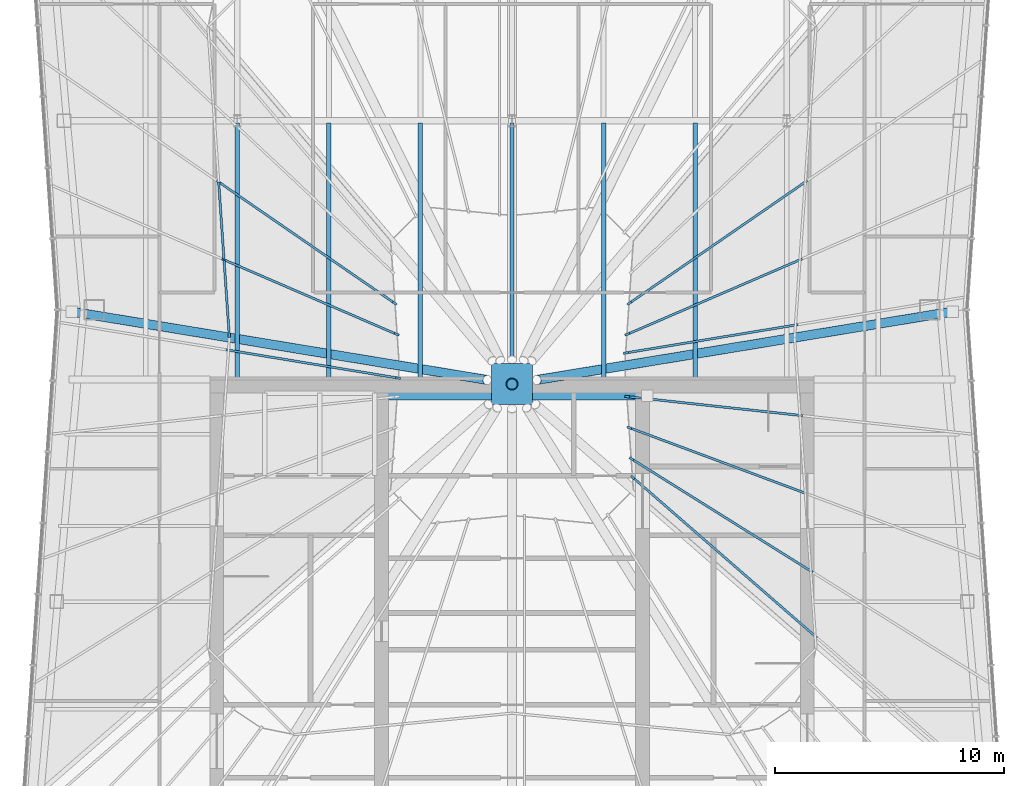
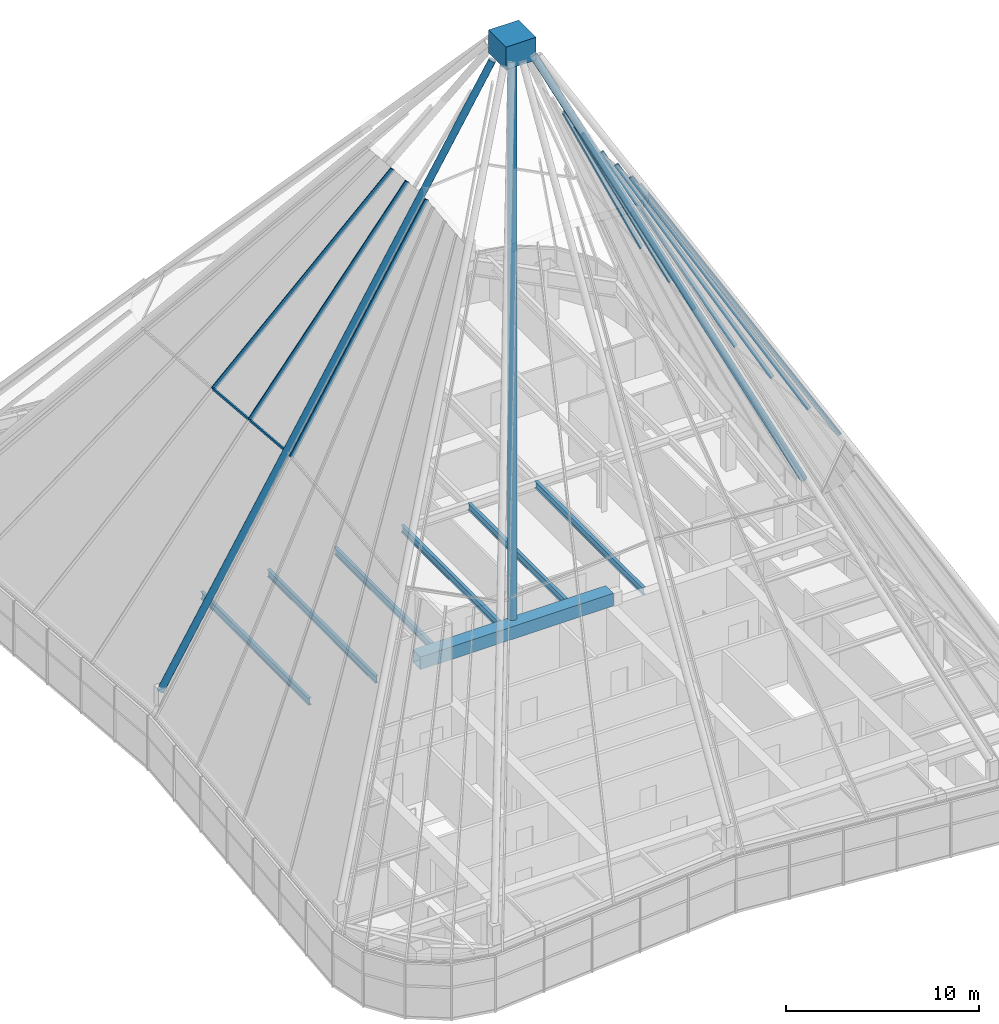
# One storey, part 8 of 28: 16 members, 7 beams, 10 elements without a shape of their own.
"""IFC4 building model written with IfcOpenShell, lengths in metres."""

from ifc_helpers import new_model, si_unit, direction, frame, origin, origin_2d, place, context, subcontext, project, spatial, rectangle, hollow_rectangle, hollow_circle, i_section, extrude, material, layer, layer_set, material_profile, profile_set, type_object, element, aggregate, save


model = new_model("IFC4")

# Units and contexts
model_context = context("Model", 3, precision=1e-05, world=origin(), true_north=direction((0.0, 1.0)))
body_context = subcontext(model_context, "Body", "Model", "MODEL_VIEW")
ifc_project = project(units=[si_unit("LENGTHUNIT", "METRE"), si_unit("AREAUNIT", "SQUARE_METRE"), si_unit("VOLUMEUNIT", "CUBIC_METRE"), si_unit("PLANEANGLEUNIT", "RADIAN"), si_unit("MASSUNIT", "GRAM", prefix="KILO")], contexts=[model_context])

# Site, building, storey
site_placement = place(None, origin())
site = spatial("IfcSite", under=ifc_project, at=site_placement, CompositionType="ELEMENT")
building_placement = place(site_placement, origin())
building = spatial("IfcBuilding", under=site, at=building_placement, Name="Verdant Reach Tower", CompositionType="ELEMENT")
storey_placement = place(building_placement, frame((0.0, 0.0, 368.0)))
storey = spatial("IfcBuildingStorey", under=building, at=storey_placement, Name="L83 Crown plant", CompositionType="ELEMENT", Elevation=368.0)

# Curtain wall, member
ifc_material_1 = material(Name="Anodised aluminium", Category="aluminium")
curtain_wall_type = type_object("IfcCurtainWallType", Name="EN-CW SYSTEM CROWN APEX", PredefinedType="NOTDEFINED", material=ifc_material_1)
curtain_wall_1_placement = place(storey_placement, origin())
curtain_wall_1 = element("IfcCurtainWall", 1, at=curtain_wall_1_placement, inside=storey, type_object=curtain_wall_type, Name="Crown glazing unit east face part 1 1, level 02", PredefinedType="NOTDEFINED")
ifc_material_profile_1 = material_profile(ifc_material_1, rectangle(XDim=0.10009765625, YDim=0.239990234375, at=origin_2d()), Name="Mullion 100x240")
ifc_profile_set_1 = profile_set([ifc_material_profile_1], Name="Anodised aluminium")
member_type_1 = type_object("IfcMemberType", Name="EN-RIB MULLION CROWN", PredefinedType="MULLION", material=ifc_profile_set_1)
member_1_placement = place(storey_placement, frame((13.243408203125, 26.986083984375, 17.9375), z_axis=(-0.445417055524, 0.387774848338, 0.806990900596), x_axis=(-0.656617966376, -0.754223339756, 0.0)))
member_1 = element("IfcMember", 2, at=member_1_placement, type_object=member_type_1, Name="Crown mullion east face part 1 1, level 02", PredefinedType="MULLION", context=body_context, shape_type="SweptSolid", body=[
    extrude(rectangle(XDim=0.10009765625, YDim=0.239990234375, at=origin_2d()), origin(), (0.0, 0.0, 1.0), 17.890625),
])
aggregate(curtain_wall_1, [member_1])

curtain_wall_2_placement = place(storey_placement, origin())
curtain_wall_2 = element("IfcCurtainWall", 3, at=curtain_wall_2_placement, inside=storey, type_object=curtain_wall_type, Name="Crown glazing unit east face part 1 2, level 02", PredefinedType="NOTDEFINED")
member_2_placement = place(storey_placement, frame((13.046875, 29.8359375, 17.9375), z_axis=(-0.456766471616, 0.285820935832, 0.842419600346), x_axis=(-0.53045514425, -0.847713005644, 0.0)))
member_2 = element("IfcMember", 4, at=member_2_placement, type_object=member_type_1, Name="Crown mullion east face part 1 2, level 02", PredefinedType="MULLION", context=body_context, shape_type="SweptSolid", body=[
    extrude(rectangle(XDim=0.10009765625, YDim=0.239990234375, at=origin_2d()), origin(), (0.0, 0.0, 1.0), 17.13818359375),
])
aggregate(curtain_wall_2, [member_2])

curtain_wall_3_placement = place(storey_placement, origin())
curtain_wall_3 = element("IfcCurtainWall", 5, at=curtain_wall_3_placement, inside=storey, type_object=curtain_wall_type, Name="Crown glazing unit east face part 1 3, level 02", PredefinedType="NOTDEFINED")
member_3_placement = place(storey_placement, frame((12.8125, 33.234375, 17.9375), z_axis=(-0.462972145316, 0.17220305405, 0.86948427291), x_axis=(-0.34861696519, -0.937265283461, 0.0)))
member_3 = element("IfcMember", 6, at=member_3_placement, type_object=member_type_1, Name="Crown mullion east face part 1 3, level 02", PredefinedType="MULLION", context=body_context, shape_type="SweptSolid", body=[
    extrude(rectangle(XDim=0.10009765625, YDim=0.239990234375, at=origin_2d()), origin(), (0.0, 0.0, 1.0), 16.604736328125),
])
aggregate(curtain_wall_3, [member_3])

curtain_wall_4_placement = place(storey_placement, origin())
curtain_wall_4 = element("IfcCurtainWall", 7, at=curtain_wall_4_placement, inside=storey, type_object=curtain_wall_type, Name="Crown glazing unit east face part 1 4, level 02", PredefinedType="NOTDEFINED")
member_4_placement = place(storey_placement, frame((12.578125, 36.6328125, 17.9375), z_axis=(-0.462668033974, 0.050290003693, 0.885104064993), x_axis=(-0.108059180768, -0.994144463069, 0.0)))
member_4 = element("IfcMember", 8, at=member_4_placement, type_object=member_type_1, Name="Crown mullion east face part 1 4, level 02", PredefinedType="MULLION", context=body_context, shape_type="SweptSolid", body=[
    extrude(rectangle(XDim=0.10009765625, YDim=0.239990234375, at=origin_2d()), origin(), (0.0, 0.0, 1.0), 16.3115234375),
])
aggregate(curtain_wall_4, [member_4])

curtain_wall_5_placement = place(storey_placement, origin())
curtain_wall_5 = element("IfcCurtainWall", 9, at=curtain_wall_5_placement, inside=storey, type_object=curtain_wall_type, Name="Crown glazing unit east face part 2 1, level 02", PredefinedType="NOTDEFINED")
member_5_placement = place(storey_placement, frame((12.381591796875, 40.579833984375, 17.9375), z_axis=(-0.455151895188, -0.074898413132, 0.887258124796), x_axis=(0.162373195455, -0.986729418533, 0.0)))
member_5 = element("IfcMember", 10, at=member_5_placement, type_object=member_type_1, Name="Crown mullion east face part 2 1, level 02", PredefinedType="MULLION", context=body_context, shape_type="SweptSolid", body=[
    extrude(rectangle(XDim=0.10009765625, YDim=0.239990234375, at=origin_2d()), origin(), (0.0, 0.0, 1.0), 16.27197265625),
])
aggregate(curtain_wall_5, [member_5])

curtain_wall_6_placement = place(storey_placement, origin())
curtain_wall_6 = element("IfcCurtainWall", 11, at=curtain_wall_6_placement, inside=storey, type_object=curtain_wall_type, Name="Crown glazing unit east face part 2 2, level 02", PredefinedType="NOTDEFINED")
member_6_placement = place(storey_placement, frame((12.578125, 43.4296875, 17.9375), z_axis=(-0.454260204963, -0.196093690962, 0.869019522538), x_axis=(0.396326778876, -0.918109516532, 0.0)))
member_6 = element("IfcMember", 12, at=member_6_placement, type_object=member_type_1, Name="Crown mullion east face part 2 2, level 02", PredefinedType="MULLION", context=body_context, shape_type="SweptSolid", body=[
    extrude(rectangle(XDim=0.10009765625, YDim=0.239990234375, at=origin_2d()), origin(), (0.0, 0.0, 1.0), 16.613525390625),
])
aggregate(curtain_wall_6, [member_6])

curtain_wall_7_placement = place(storey_placement, origin())
curtain_wall_7 = element("IfcCurtainWall", 13, at=curtain_wall_7_placement, inside=storey, type_object=curtain_wall_type, Name="Crown glazing unit east face part 2 3, level 02", PredefinedType="NOTDEFINED")
member_7_placement = place(storey_placement, frame((12.8125, 46.828125, 17.9375), z_axis=(-0.447132142943, -0.30808495215, 0.839735975772), x_axis=(0.567380903028, -0.823455469882, 0.0)))
member_7 = element("IfcMember", 14, at=member_7_placement, type_object=member_type_1, Name="Crown mullion east face part 2 3, level 02", PredefinedType="MULLION", context=body_context, shape_type="SweptSolid", body=[
    extrude(rectangle(XDim=0.10009765625, YDim=0.239990234375, at=origin_2d()), origin(), (0.0, 0.0, 1.0), 17.19287109375),
])
aggregate(curtain_wall_7, [member_7])

curtain_wall_8_placement = place(storey_placement, origin())
curtain_wall_8 = element("IfcCurtainWall", 15, at=curtain_wall_8_placement, inside=storey, type_object=curtain_wall_type, Name="Crown glazing unit west face part 1 3, level 02", PredefinedType="NOTDEFINED")
member_8_placement = place(storey_placement, frame((-12.8125, 46.828125, 17.9375), z_axis=(0.447132142943, -0.30808495215, 0.839735975772), x_axis=(0.567380903028, 0.823455469882, 0.0)))
member_8 = element("IfcMember", 16, at=member_8_placement, type_object=member_type_1, Name="Crown mullion west face part 1 3, level 02", PredefinedType="MULLION", context=body_context, shape_type="SweptSolid", body=[
    extrude(rectangle(XDim=0.10009765625, YDim=0.239990234375, at=origin_2d()), origin(), (0.0, 0.0, 1.0), 17.19287109375),
])

curtain_wall_9_placement = place(storey_placement, origin())
curtain_wall_9 = element("IfcCurtainWall", 17, at=curtain_wall_9_placement, inside=storey, type_object=curtain_wall_type, Name="Crown glazing unit west face part 1 4, level 02", PredefinedType="NOTDEFINED")
member_9_placement = place(storey_placement, frame((-12.578125, 43.4296875, 17.9375), z_axis=(0.454260204963, -0.196093690962, 0.869019522538), x_axis=(0.396326778876, 0.918109516532, 0.0)))
member_9 = element("IfcMember", 18, at=member_9_placement, type_object=member_type_1, Name="Crown mullion west face part 1 4, level 02", PredefinedType="MULLION", context=body_context, shape_type="SweptSolid", body=[
    extrude(rectangle(XDim=0.10009765625, YDim=0.239990234375, at=origin_2d()), origin(), (0.0, 0.0, 1.0), 16.613525390625),
])

curtain_wall_10_placement = place(storey_placement, origin())
curtain_wall_10 = element("IfcCurtainWall", 19, at=curtain_wall_10_placement, inside=storey, type_object=curtain_wall_type, Name="Crown glazing unit west face part 2 1, level 02", PredefinedType="NOTDEFINED")
member_10_placement = place(storey_placement, frame((-12.381591796875, 39.482666015625, 17.9375), z_axis=(0.455151895188, -0.074898413132, 0.887258124796), x_axis=(0.162373195455, 0.986729418533, 0.0)))
member_10 = element("IfcMember", 20, at=member_10_placement, type_object=member_type_1, Name="Crown mullion west face part 2 1, level 02", PredefinedType="MULLION", context=body_context, shape_type="SweptSolid", body=[
    extrude(rectangle(XDim=0.10009765625, YDim=0.239990234375, at=origin_2d()), origin(), (0.0, 0.0, 1.0), 16.27197265625),
])
aggregate(curtain_wall_10, [member_10])

# Member
ifc_material_profile_2 = material_profile(ifc_material_1, rectangle(XDim=0.10009765625, YDim=0.139892578125, at=origin_2d()), Name="Transom 140x100")
ifc_profile_set_2 = profile_set([ifc_material_profile_2], Name="Anodised aluminium")
member_type_2 = type_object("IfcMemberType", Name="EN-TRANSOM CROWN", PredefinedType="USERDEFINED", material=ifc_profile_set_2)
member_11_placement = place(storey_placement, frame((-12.8125, 46.828125, 17.9375), z_axis=(0.068802091615, -0.997630328423, 0.0), x_axis=(0.997630328423, 0.068802091615, 0.0)))
member_11 = element("IfcMember", 21, at=member_11_placement, type_object=member_type_2, Name="Crown transom west face part 1 3, level 02", ObjectType="TRANSOM", PredefinedType="USERDEFINED", context=body_context, shape_type="SweptSolid", body=[
    extrude(rectangle(XDim=0.10009765625, YDim=0.139892578125, at=origin_2d()), origin(), (0.0, 0.0, 1.0), 3.406494140625),
])

aggregate(curtain_wall_8, [member_8, member_11])

member_12_placement = place(storey_placement, frame((-12.578125, 43.4296875, 17.9375), z_axis=(0.068802091615, -0.997630328423, 0.0), x_axis=(0.997630328423, 0.068802091615, 0.0)))
member_12 = element("IfcMember", 22, at=member_12_placement, type_object=member_type_2, Name="Crown transom west face part 1 4, level 02", ObjectType="TRANSOM", PredefinedType="USERDEFINED", context=body_context, shape_type="SweptSolid", body=[
    extrude(rectangle(XDim=0.10009765625, YDim=0.139892578125, at=origin_2d()), origin(), (0.0, 0.0, 1.0), 3.406494140625),
])

aggregate(curtain_wall_9, [member_9, member_12])

# Beam
ifc_material_2 = material(Name="Steel S355", Category="steel")
ifc_material_profile_3 = material_profile(ifc_material_2, hollow_rectangle(XDim=0.800048828125, YDim=0.800048828125, WallThickness=0.0400390625, at=origin_2d()), Name="WB 800x800x40")
ifc_profile_set_3 = profile_set([ifc_material_profile_3], Name="Steel S355")
beam_type_1 = type_object("IfcBeamType", Name="ST-BEAM-GB800", PredefinedType="BEAM", material=ifc_profile_set_3)
beam_placement = place(storey_placement, frame((-5.89990234375, 37.699951171875, 3.89990234375), z_axis=(1.0, 0.0, 0.0), x_axis=(0.0, 1.0, 0.0)))
element("IfcBeam", 23, at=beam_placement, inside=storey, type_object=beam_type_1, Name="Spire grillage beam", PredefinedType="BEAM", context=body_context, shape_type="SweptSolid", body=[
    extrude(hollow_rectangle(XDim=0.800048828125, YDim=0.800048828125, WallThickness=0.0400390625, at=origin_2d()), origin(), (0.0, 0.0, 1.0), 11.5498046875),
])

# Members
ifc_material_3 = material(Name="Steel S460", Category="steel")
ifc_material_profile_4 = material_profile(ifc_material_3, hollow_circle(Radius=0.203125, WallThickness=0.01611328125, at=origin_2d()), Name="CHS 406.4x16")
ifc_profile_set_4 = profile_set([ifc_material_profile_4], Name="Steel S460")
member_type_3 = type_object("IfcMemberType", Name="ST-CROWN-RIB", PredefinedType="BRACE", material=ifc_profile_set_4)
member_13_placement = place(storey_placement, frame((19.24853515625, 41.16748046875, 4.4775390625), z_axis=(-0.4551504177, -0.074896543166, 0.887259040579), x_axis=(0.16236976159, -0.986729983593, 0.0)))
element("IfcMember", 24, at=member_13_placement, inside=storey, type_object=member_type_3, Name="Crown rib 3", PredefinedType="BRACE", context=body_context, shape_type="SweptSolid", body=[
    extrude(hollow_circle(Radius=0.203125, WallThickness=0.01611328125, at=origin_2d()), origin(), (0.0, 0.0, 1.0), 39.892333984375),
])
member_14_placement = place(storey_placement, frame((-19.237060546875, 41.16552734375, 4.5), z_axis=(0.455151411389, -0.074895077785, 0.887258654528), x_axis=(0.162366323376, 0.986730549356, 0.0)))
element("IfcMember", 25, at=member_14_placement, inside=storey, type_object=member_type_3, Name="Crown rib 9", PredefinedType="BRACE", context=body_context, shape_type="SweptSolid", body=[
    extrude(hollow_circle(Radius=0.203125, WallThickness=0.01611328125, at=origin_2d()), origin(), (0.0, 0.0, 1.0), 39.866943359375),
])

# Beams
ifc_material_profile_5 = material_profile(ifc_material_2, i_section(OverallWidth=0.18994140625, OverallDepth=0.449951171875, WebThickness=0.009521484375, FlangeThickness=0.0146484375, FilletRadius=0.02099609375, at=origin_2d()), Name="IPE 450")
ifc_profile_set_5 = profile_set([ifc_material_profile_5], Name="Steel S355")
beam_type_2 = type_object("IfcBeamType", Name="ST-JOIST-IPE450", PredefinedType="JOIST", material=ifc_profile_set_5)
for number, where, z_axis, x_axis, name in (
    (26, (-12.0, 38.199951171875, 3.074951171875), (0.0, 1.0, 0.0), (-1.0, 0.0, 0.0), "Floor joist, L83 Crown plant"),
    (27, (-8.0, 38.199951171875, 3.074951171875), (0.0, 1.0, 0.0), (-1.0, 0.0, 0.0), "Floor joist, L83 Crown plant"),
    (28, (-4.0, 38.199951171875, 3.074951171875), (0.0, 1.0, 0.0), (-1.0, 0.0, 0.0), "Floor joist, L83 Crown plant"),
    (29, (0.0, 38.199951171875, 3.074951171875), (0.0, 1.0, 0.0), (-1.0, 0.0, 0.0), "Floor joist, L83 Crown plant"),
    (30, (4.0, 38.199951171875, 3.074951171875), (0.0, 1.0, 0.0), (-1.0, 0.0, 0.0), "Floor joist, L83 Crown plant"),
    (31, (8.0, 38.199951171875, 3.074951171875), (0.0, 1.0, 0.0), (-1.0, 0.0, 0.0), "Floor joist, L83 Crown plant"),
):
    element("IfcBeam", number, at=place(storey_placement, frame(where, z_axis=z_axis, x_axis=x_axis)), inside=storey, type_object=beam_type_2, Name=name, PredefinedType="JOIST", context=body_context, shape_type="SweptSolid", body=[
        extrude(i_section(OverallWidth=0.18994140625, OverallDepth=0.449951171875, WebThickness=0.009521484375, FlangeThickness=0.0146484375, FilletRadius=0.02099609375, at=origin_2d()), origin(), (0.0, 0.0, 1.0), 11.199951171875),
    ])

# Members
ifc_layer = layer(ifc_material_3, 1.800048828125)
ifc_layer_set = layer_set([ifc_layer], Name="ST-NODE-HUB")
member_type_4 = type_object("IfcMemberType", Name="ST-NODE-HUB", PredefinedType="PLATE", material=ifc_layer_set)
member_15_placement = place(storey_placement, frame((0.0, 38.0, 39.84228515625), z_axis=(0.0, 0.0, 1.0), x_axis=(1.0, 0.0, 0.0)))
element("IfcMember", 32, at=member_15_placement, inside=storey, type_object=member_type_4, Name="Crown apex hub", PredefinedType="PLATE", context=body_context, shape_type="SweptSolid", body=[
    extrude(rectangle(XDim=1.800048828125, YDim=1.800048828125, at=origin_2d()), origin(), (0.0, 0.0, 1.0), 1.443115234375),
])
ifc_material_profile_6 = material_profile(ifc_material_3, hollow_circle(Radius=0.25390625, WallThickness=0.02001953125, at=origin_2d()), Name="CHS 508x20")
ifc_profile_set_6 = profile_set([ifc_material_profile_6], Name="Steel S460")
member_type_5 = type_object("IfcMemberType", Name="ST-SPIRE", PredefinedType="STUD", material=ifc_profile_set_6)
member_16_placement = place(storey_placement, frame((0.0, 38.0, 4.300048828125), z_axis=(0.0, 0.0, 1.0), x_axis=(1.0, 0.0, 0.0)))
element("IfcMember", 33, at=member_16_placement, inside=storey, type_object=member_type_5, Name="Spire mast", PredefinedType="STUD", context=body_context, shape_type="SweptSolid", body=[
    extrude(hollow_circle(Radius=0.25390625, WallThickness=0.02001953125, at=origin_2d()), origin(), (0.0, 0.0, 1.0), 35.542236328125),
])

save(model, "model.ifc")
